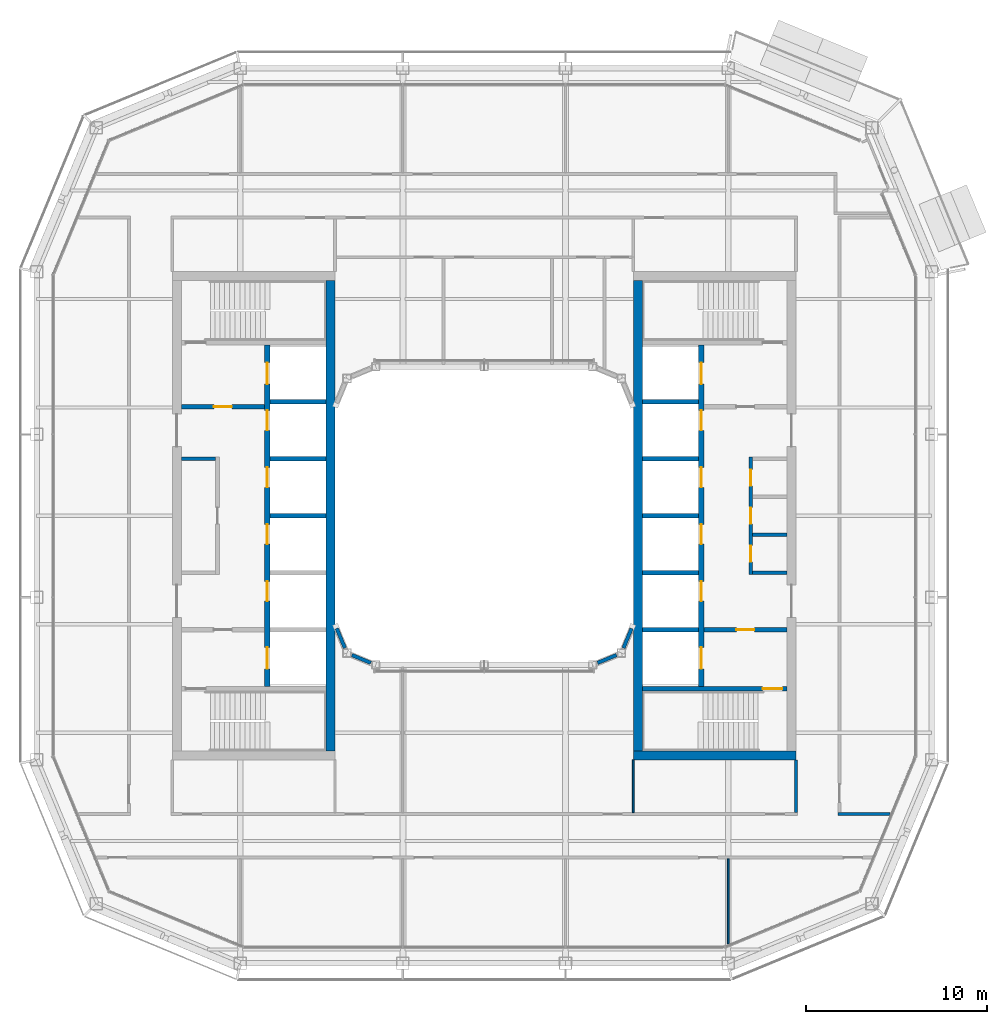
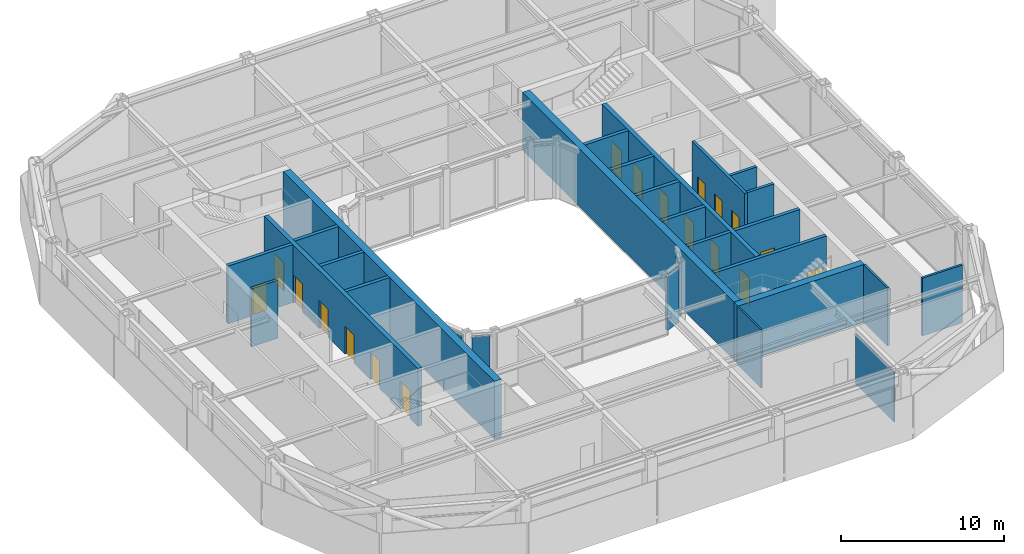
# One storey, part 12 of 21: 28 walls, 18 doors, 18 openings.
"""IFC4 building model written with IfcOpenShell, lengths in metres."""

import ifcopenshell
import ifcopenshell.guid

model = None  # the IFC model being written
_history = None  # IfcOwnerHistory: only IFC2X3 demands one
_inside = {}  # id of a spatial element -> (the spatial element, [elements in it])
_under = {}  # id of a project, library or spatial element -> (it, [spatial elements below it])
_declared = {}  # id of a project -> (the project, [libraries it declares])
_typed = {}  # id of a type object -> (the type object, [elements of that type])
_made_of = {}  # id of a material, layer set ... -> (it, [elements and type objects made of it])


def new_model(schema):
    """Start an empty IFC model of exactly this schema.

    Asked for "IFC4X3", IfcOpenShell would pick the latest addendum, in which some entities
    have other attributes; the version numbers below select the first issue.
    IFC2X3 requires an IfcOwnerHistory on every rooted entity: one is made here for all.
    """
    global model, _history
    if schema == "IFC4X3":
        model = ifcopenshell.file(schema_version=(4, 3, 0, 0))
    else:
        model = ifcopenshell.file(schema=schema)
    _inside.clear()
    _under.clear()
    _declared.clear()
    _typed.clear()
    _made_of.clear()
    _history = None
    if model.schema == "IFC2X3":
        org = make("IfcOrganization", Name="unknown")
        user = make(
            "IfcPersonAndOrganization",
            ThePerson=make("IfcPerson", FamilyName="unknown"),
            TheOrganization=org,
        )
        app = make(
            "IfcApplication",
            ApplicationDeveloper=org,
            Version="unknown",
            ApplicationFullName="unknown",
            ApplicationIdentifier="unknown",
        )
        _history = make(
            "IfcOwnerHistory",
            OwningUser=user,
            OwningApplication=app,
            ChangeAction="ADDED",
            CreationDate=0,
        )
    return model


def make(cls, **values):
    """One entity of the class cls with the attributes given. An attribute that is None is left unset."""
    return model.create_entity(
        cls, **{name: value for name, value in values.items() if value is not None}
    )


def rooted(cls, **values):
    """An entity with a GlobalId (a new one), such as an element, a storey or a relation."""
    return make(cls, GlobalId=ifcopenshell.guid.new(), OwnerHistory=_history, **values)


def si_unit(unit_type, name, prefix=None):
    """IfcSIUnit, for example si_unit("LENGTHUNIT", "METRE", prefix="MILLI")."""
    return make("IfcSIUnit", UnitType=unit_type, Prefix=prefix, Name=name)


def assignment(units):
    """IfcUnitAssignment: the units of a project."""
    return None if units is None else make("IfcUnitAssignment", Units=units)


def point(xyz):
    """IfcCartesianPoint."""
    return None if xyz is None else make("IfcCartesianPoint", Coordinates=xyz)


def direction(xyz):
    """IfcDirection."""
    return None if xyz is None else make("IfcDirection", DirectionRatios=xyz)


def frame(location, z_axis=None, x_axis=None):
    """IfcAxis2Placement3D, a coordinate frame: its origin and axes. An axis left out is left unset."""
    return make(
        "IfcAxis2Placement3D",
        Location=point(location),
        Axis=direction(z_axis),
        RefDirection=direction(x_axis),
    )


def frame_2d(location, x_axis=None):
    """IfcAxis2Placement2D, a coordinate frame in the plane: its origin and x axis."""
    return make(
        "IfcAxis2Placement2D", Location=point(location), RefDirection=direction(x_axis)
    )


def origin():
    """The frame at (0, 0, 0) with its axes left unset."""
    return frame((0.0, 0.0, 0.0))


def place(relative_to, where):
    """IfcLocalPlacement: puts the frame where relative to a parent placement (None: the world)."""
    return make(
        "IfcLocalPlacement", PlacementRelTo=relative_to, RelativePlacement=where
    )


def context(
    kind, dimensions, precision=None, world=None, true_north=None, identifier=None
):
    """IfcGeometricRepresentationContext, for example the 3D "Model" context."""
    return make(
        "IfcGeometricRepresentationContext",
        ContextIdentifier=identifier,
        ContextType=kind,
        CoordinateSpaceDimension=dimensions,
        Precision=precision,
        WorldCoordinateSystem=world,
        TrueNorth=true_north,
    )


def subcontext(parent, identifier, kind, view, scale=None):
    """IfcGeometricRepresentationSubContext, for example "Body" below "Model"."""
    return make(
        "IfcGeometricRepresentationSubContext",
        ContextIdentifier=identifier,
        ContextType=kind,
        ParentContext=parent,
        TargetScale=scale,
        TargetView=view,
    )


def project(units=None, contexts=None):
    """IfcProject with its units and contexts."""
    return rooted(
        "IfcProject",
        Name="project",
        RepresentationContexts=contexts,
        UnitsInContext=assignment(units),
    )


def spatial(cls, under=None, at=None, **own):
    """A site, building, storey or space (cls), placed at a placement, below another one or the project."""
    s = rooted(cls, ObjectPlacement=at, **own)
    if under is not None:
        _under.setdefault(under.id(), (under, []))[1].append(s)
    return s


def profile(cls, at=None, kind="AREA", **sizes):
    """A parametric profile (cls). Its sizes go by their IFC names, for example OverallWidth=200.0."""
    return make(cls, ProfileType=kind, Position=at, **sizes)


def rectangle(**sizes):
    """IfcRectangleProfileDef."""
    return profile("IfcRectangleProfileDef", **sizes)


def extrude(swept, where, along, depth):
    """IfcExtrudedAreaSolid: the profile swept, set in the frame where, extruded along a direction by depth."""
    return make(
        "IfcExtrudedAreaSolid",
        SweptArea=swept,
        Position=where,
        ExtrudedDirection=direction(along),
        Depth=depth,
    )


def shape(context_of_items, identifier, shape_type, items):
    """IfcShapeRepresentation: the items that make up one representation, for example the "Body"."""
    return make(
        "IfcShapeRepresentation",
        ContextOfItems=context_of_items,
        RepresentationIdentifier=identifier,
        RepresentationType=shape_type,
        Items=items,
    )


def material(Name=None, Category=None):
    """IfcMaterial."""
    return make("IfcMaterial", Name=Name, Category=Category)


def layer(
    of_material, thickness, ventilated=None, Name=None, Category=None, Priority=None
):
    """IfcMaterialLayer: one layer of a wall or slab, of a material (None: an air gap)."""
    return make(
        "IfcMaterialLayer",
        Material=of_material,
        LayerThickness=thickness,
        IsVentilated=ventilated,
        Name=Name,
        Category=Category,
        Priority=Priority,
    )


def layer_set(layers, Name=None):
    """IfcMaterialLayerSet."""
    return make("IfcMaterialLayerSet", MaterialLayers=layers, LayerSetName=Name)


def made_of(thing, what):
    """Note that an element or type object is made of a material, layer set ...; save() writes the relation."""
    if what is not None:
        _made_of.setdefault(what.id(), (what, []))[1].append(thing)
    return thing


def type_object(cls, material=None, **own):
    """A type object (cls), such as IfcWallType, which elements share."""
    return made_of(rooted(cls, **own), material)


def element(
    cls,
    number,
    at=None,
    inside=None,
    cuts=None,
    type_object=None,
    material=None,
    context=None,
    identifier="Body",
    shape_type=None,
    held_by="IfcProductDefinitionShape",
    body=None,
    shapes=None,
    **own,
):
    """One element of the class cls, such as IfcWall. Its Tag is "e" and its number.

    at: its placement. inside: the storey or other place that contains it. cuts: it is an
    opening in that element (IfcRelVoidsElement). A single representation is given by context,
    identifier, shape_type and body (its items); several are given by shapes. held_by: the class
    of the entity that holds the representations. save() writes the other relations.
    """
    e = rooted(cls, Tag="e%d" % number, ObjectPlacement=at, **own)
    if body is not None:
        shapes = [shape(context, identifier, shape_type, body)]
    if shapes is not None:
        e.Representation = make(held_by, Representations=shapes)
    if inside is not None:
        _inside.setdefault(inside.id(), (inside, []))[1].append(e)
    if cuts is not None:
        rooted(
            "IfcRelVoidsElement", RelatingBuildingElement=cuts, RelatedOpeningElement=e
        )
    if type_object is not None:
        _typed.setdefault(type_object.id(), (type_object, []))[1].append(e)
    return made_of(e, material)


def fill(opening, filler):
    """IfcRelFillsElement: the door or window that sits in an opening."""
    return rooted(
        "IfcRelFillsElement",
        RelatingOpeningElement=opening,
        RelatedBuildingElement=filler,
    )


def aggregate(whole, parts):
    """IfcRelAggregates: a whole, such as a stair, and the parts it consists of."""
    return rooted("IfcRelAggregates", RelatingObject=whole, RelatedObjects=parts)


def save(model, path):
    """Write the relations noted so far, then the file.

    IfcRelAggregates (storeys below a building ...), IfcRelContainedInSpatialStructure (elements
    in a storey), IfcRelDefinesByType, IfcRelAssociatesMaterial and IfcRelDeclares: one each for
    every whole, place, type object, material and project.
    """
    for whole, parts in _under.values():
        aggregate(whole, parts)
    for where, things in _inside.values():
        rooted(
            "IfcRelContainedInSpatialStructure",
            RelatedElements=things,
            RelatingStructure=where,
        )
    for kind, things in _typed.values():
        rooted("IfcRelDefinesByType", RelatedObjects=things, RelatingType=kind)
    for what, things in _made_of.values():
        rooted("IfcRelAssociatesMaterial", RelatedObjects=things, RelatingMaterial=what)
    for by, libraries in _declared.values():
        rooted("IfcRelDeclares", RelatingContext=by, RelatedDefinitions=libraries)
    model.write(path)


model = new_model("IFC4")

# Units and contexts
model_context = context("Model", 3, precision=1e-05, world=origin(), true_north=direction((0.0, 1.0)))
body_context = subcontext(model_context, "Body", "Model", "MODEL_VIEW")
ifc_project = project(units=[si_unit("LENGTHUNIT", "METRE"), si_unit("AREAUNIT", "SQUARE_METRE"), si_unit("VOLUMEUNIT", "CUBIC_METRE"), si_unit("PLANEANGLEUNIT", "RADIAN"), si_unit("MASSUNIT", "GRAM", prefix="KILO")], contexts=[model_context])

# Site, building, storey
site_placement = place(None, origin())
site = spatial("IfcSite", under=ifc_project, at=site_placement, CompositionType="ELEMENT")
building_placement = place(site_placement, origin())
building = spatial("IfcBuilding", under=site, at=building_placement, Name="Siwar Civic Tower", CompositionType="ELEMENT")
storey_placement = place(building_placement, frame((0.0, 0.0, 325.699951171875)))
storey = spatial("IfcBuildingStorey", under=building, at=storey_placement, Name="L70", CompositionType="ELEMENT", Elevation=325.699951171875)

# Wall
ifc_material_1 = material(Name="Gypsum board on steel studs", Category="steel")
ifc_layer_1 = layer(ifc_material_1, 0.199951171875)
ifc_layer_set_1 = layer_set([ifc_layer_1], Name="Gypsum board on steel studs")
wall_type_1 = type_object("IfcWallType", Name="CORE-PARTITION-200", PredefinedType="PARTITIONING", material=ifc_layer_set_1)
wall_1_placement = place(storey_placement, frame((-14.85009765625, 3.14990234375, 0.0), z_axis=(0.0, 0.0, 1.0), x_axis=(-1.0, 0.0, 0.0)))
element("IfcWall", 1, at=wall_1_placement, inside=storey, type_object=wall_type_1, Name="Core partition W", PredefinedType="PARTITIONING", context=body_context, shape_type="SweptSolid", body=[
    extrude(rectangle(XDim=1.89990234375, YDim=0.199951171875, at=frame_2d((0.949951171875, 0.0))), origin(), (0.0, 0.0, 1.0), 4.35009765625),
])

# Wall, openings, doors
wall_2_placement = place(storey_placement, frame((14.75, -3.25, 0.0), z_axis=(0.0, 0.0, 1.0), x_axis=(0.0, 1.0, 0.0)))
wall_2 = element("IfcWall", 2, at=wall_2_placement, inside=storey, type_object=wall_type_1, Name="Core partition E", PredefinedType="PARTITIONING", context=body_context, shape_type="SweptSolid", body=[
    extrude(rectangle(XDim=6.5, YDim=0.199951171875, at=frame_2d((3.25, 0.0))), origin(), (0.0, 0.0, 1.0), 4.35009765625),
])
opening_1_placement = place(wall_2_placement, frame((0.699951171875, 0.0, 0.0)))
opening_1 = element("IfcOpeningElement", 3, at=opening_1_placement, cuts=wall_2, Name="Opening L70-CE13", PredefinedType="OPENING", context=body_context, shape_type="SweptSolid", body=[
    extrude(rectangle(XDim=0.89990234375, YDim=2.10009765625, at=frame_2d((0.449951171875, 1.050048828125))), frame((0.0, 0.10986328125, 0.0), z_axis=(0.0, -1.0, 0.0), x_axis=(1.0, 0.0, 0.0)), (0.0, 0.0, 1.0), 0.219970703125),
])
opening_2_placement = place(wall_2_placement, frame((2.800048828125, 0.0, 0.0)))
opening_2 = element("IfcOpeningElement", 4, at=opening_2_placement, cuts=wall_2, Name="Opening L70-CE14", PredefinedType="OPENING", context=body_context, shape_type="SweptSolid", body=[
    extrude(rectangle(XDim=0.89990234375, YDim=2.10009765625, at=frame_2d((0.449951171875, 1.050048828125))), frame((0.0, 0.10986328125, 0.0), z_axis=(0.0, -1.0, 0.0), x_axis=(1.0, 0.0, 0.0)), (0.0, 0.0, 1.0), 0.219970703125),
])
opening_3_placement = place(wall_2_placement, frame((4.89990234375, 0.0, 0.0)))
opening_3 = element("IfcOpeningElement", 5, at=opening_3_placement, cuts=wall_2, Name="Opening L70-CE15", PredefinedType="OPENING", context=body_context, shape_type="SweptSolid", body=[
    extrude(rectangle(XDim=0.89990234375, YDim=2.10009765625, at=frame_2d((0.449951171875, 1.050048828125))), frame((0.0, 0.10986328125, 0.0), z_axis=(0.0, -1.0, 0.0), x_axis=(1.0, 0.0, 0.0)), (0.0, 0.0, 1.0), 0.219970703125),
])
ifc_material_2 = material(Name="Steel door leaf", Category="steel")
door_type_1 = type_object("IfcDoorType", Name="CORE-DOOR-ROOM", OperationType="SINGLE_SWING_LEFT", PredefinedType="DOOR", material=ifc_material_2)
door_1_placement = place(opening_1_placement, origin())
door_1 = element("IfcDoor", 6, at=door_1_placement, inside=storey, type_object=door_type_1, Name="Core room door L70-CE13", OperationType="SINGLE_SWING_LEFT", OverallHeight=2.10009765625, OverallWidth=0.89990234375, PredefinedType="DOOR", context=body_context, shape_type="SweptSolid", body=[
    extrude(rectangle(XDim=0.89990234375, YDim=2.10009765625, at=frame_2d((0.449951171875, 1.050048828125))), frame((0.0, 0.02490234375, 0.0), z_axis=(0.0, -1.0, 0.0), x_axis=(1.0, 0.0, 0.0)), (0.0, 0.0, 1.0), 0.050048828125),
])
fill(opening_1, door_1)
door_2_placement = place(opening_2_placement, origin())
door_2 = element("IfcDoor", 7, at=door_2_placement, inside=storey, type_object=door_type_1, Name="Core room door L70-CE14", OperationType="SINGLE_SWING_LEFT", OverallHeight=2.10009765625, OverallWidth=0.89990234375, PredefinedType="DOOR", context=body_context, shape_type="SweptSolid", body=[
    extrude(rectangle(XDim=0.89990234375, YDim=2.10009765625, at=frame_2d((0.449951171875, 1.050048828125))), frame((0.0, 0.02490234375, 0.0), z_axis=(0.0, -1.0, 0.0), x_axis=(1.0, 0.0, 0.0)), (0.0, 0.0, 1.0), 0.050048828125),
])
fill(opening_2, door_2)
door_3_placement = place(opening_3_placement, origin())
door_3 = element("IfcDoor", 8, at=door_3_placement, inside=storey, type_object=door_type_1, Name="Core room door L70-CE15", OperationType="SINGLE_SWING_LEFT", OverallHeight=2.10009765625, OverallWidth=0.89990234375, PredefinedType="DOOR", context=body_context, shape_type="SweptSolid", body=[
    extrude(rectangle(XDim=0.89990234375, YDim=2.10009765625, at=frame_2d((0.449951171875, 1.050048828125))), frame((0.0, 0.02490234375, 0.0), z_axis=(0.0, -1.0, 0.0), x_axis=(1.0, 0.0, 0.0)), (0.0, 0.0, 1.0), 0.050048828125),
])
fill(opening_3, door_3)

# Walls
for number, where, z_axis, x_axis, name in (
    (9, (14.85009765625, -3.14990234375, 0.0), (0.0, 0.0, 1.0), (1.0, 0.0, 0.0), "Core partition E"),
    (10, (14.85009765625, -1.050048828125, 0.0), (0.0, 0.0, 1.0), (1.0, 0.0, 0.0), "Core partition E"),
):
    element("IfcWall", number, at=place(storey_placement, frame(where, z_axis=z_axis, x_axis=x_axis)), inside=storey, type_object=wall_type_1, Name=name, PredefinedType="PARTITIONING", context=body_context, shape_type="SweptSolid", body=[
        extrude(rectangle(XDim=1.89990234375, YDim=0.199951171875, at=frame_2d((0.949951171875, 0.0))), origin(), (0.0, 0.0, 1.0), 4.35009765625),
    ])

# Wall, opening, door
ifc_material_3 = material(Name="Concrete C60/75", Category="concrete")
ifc_layer_2 = layer(ifc_material_3, 0.25)
ifc_layer_set_2 = layer_set([ifc_layer_2], Name="Concrete C60/75")
wall_type_2 = type_object("IfcWallType", Name="CORE-WALL-RC250", PredefinedType="SHEAR", material=ifc_layer_set_2)
wall_3_placement = place(storey_placement, frame((-12.14990234375, 6.02490234375, 0.0), z_axis=(0.0, 0.0, 1.0), x_axis=(-1.0, 0.0, 0.0)))
wall_3 = element("IfcWall", 11, at=wall_3_placement, inside=storey, type_object=wall_type_2, Name="Core wall W", PredefinedType="SHEAR", context=body_context, shape_type="SweptSolid", body=[
    extrude(rectangle(XDim=4.60009765625, YDim=0.25, at=frame_2d((2.300048828125, 0.0))), origin(), (0.0, 0.0, 1.0), 4.35009765625),
])
opening_4_placement = place(wall_3_placement, frame((1.800048828125, 0.0, 0.0)))
opening_4 = element("IfcOpeningElement", 12, at=opening_4_placement, cuts=wall_3, Name="Opening L70-CW01", PredefinedType="OPENING", context=body_context, shape_type="SweptSolid", body=[
    extrude(rectangle(XDim=1.0, YDim=2.10009765625, at=frame_2d((0.5, 1.050048828125))), frame((0.0, 0.135009765625, 0.0), z_axis=(0.0, -1.0, 0.0), x_axis=(1.0, 0.0, 0.0)), (0.0, 0.0, 1.0), 0.27001953125),
])
ifc_material_4 = material(Name="Steel door leaf", Category="steel")
door_type_2 = type_object("IfcDoorType", Name="CORE-DOOR-FD30S", OperationType="SINGLE_SWING_LEFT", PredefinedType="DOOR", material=ifc_material_4)
door_4_placement = place(opening_4_placement, origin())
door_4 = element("IfcDoor", 13, at=door_4_placement, inside=storey, type_object=door_type_2, Name="Firefighting lobby door L70-CW01", OperationType="SINGLE_SWING_LEFT", OverallHeight=2.10009765625, OverallWidth=1.0, PredefinedType="DOOR", context=body_context, shape_type="SweptSolid", body=[
    extrude(rectangle(XDim=1.0, YDim=2.10009765625, at=frame_2d((0.5, 1.050048828125))), frame((0.0, 0.02490234375, 0.0), z_axis=(0.0, -1.0, 0.0), x_axis=(1.0, 0.0, 0.0)), (0.0, 0.0, 1.0), 0.050048828125),
])
fill(opening_4, door_4)

# Walls
for number, where, z_axis, x_axis, name in (
    (14, (-8.75, 0.0, 0.0), (0.0, 0.0, 1.0), (-1.0, 0.0, 0.0), "Core wall W"),
    (15, (-8.75, 3.14990234375, 0.0), (0.0, 0.0, 1.0), (-1.0, 0.0, 0.0), "Core wall W"),
    (16, (-8.75, 6.300048828125, 0.0), (0.0, 0.0, 1.0), (-1.0, 0.0, 0.0), "Core wall W"),
):
    element("IfcWall", number, at=place(storey_placement, frame(where, z_axis=z_axis, x_axis=x_axis)), inside=storey, type_object=wall_type_2, Name=name, PredefinedType="SHEAR", context=body_context, shape_type="SweptSolid", body=[
        extrude(rectangle(XDim=3.10009765625, YDim=0.25, at=frame_2d((1.550048828125, 0.0))), origin(), (0.0, 0.0, 1.0), 4.35009765625),
    ])

# Wall, opening, door
wall_4_placement = place(storey_placement, frame((12.14990234375, -6.300048828125, 0.0), z_axis=(0.0, 0.0, 1.0), x_axis=(1.0, 0.0, 0.0)))
wall_4 = element("IfcWall", 17, at=wall_4_placement, inside=storey, type_object=wall_type_2, Name="Core wall E", PredefinedType="SHEAR", context=body_context, shape_type="SweptSolid", body=[
    extrude(rectangle(XDim=4.60009765625, YDim=0.25, at=frame_2d((2.300048828125, 0.0))), origin(), (0.0, 0.0, 1.0), 4.35009765625),
])
opening_5_placement = place(wall_4_placement, frame((1.800048828125, 0.0, 0.0)))
opening_5 = element("IfcOpeningElement", 18, at=opening_5_placement, cuts=wall_4, Name="Opening L70-CE02", PredefinedType="OPENING", context=body_context, shape_type="SweptSolid", body=[
    extrude(rectangle(XDim=1.0, YDim=2.10009765625, at=frame_2d((0.5, 1.050048828125))), frame((0.0, 0.135009765625, 0.0), z_axis=(0.0, -1.0, 0.0), x_axis=(1.0, 0.0, 0.0)), (0.0, 0.0, 1.0), 0.27001953125),
])
door_5_placement = place(opening_5_placement, origin())
door_5 = element("IfcDoor", 19, at=door_5_placement, inside=storey, type_object=door_type_2, Name="Service lobby door L70-CE02", OperationType="SINGLE_SWING_LEFT", OverallHeight=2.10009765625, OverallWidth=1.0, PredefinedType="DOOR", context=body_context, shape_type="SweptSolid", body=[
    extrude(rectangle(XDim=1.0, YDim=2.10009765625, at=frame_2d((0.5, 1.050048828125))), frame((0.0, 0.02490234375, 0.0), z_axis=(0.0, -1.0, 0.0), x_axis=(1.0, 0.0, 0.0)), (0.0, 0.0, 1.0), 0.050048828125),
])
fill(opening_5, door_5)

# Walls
for number, where, z_axis, x_axis, name in (
    (20, (8.75, 0.0, 0.0), (0.0, 0.0, 1.0), (1.0, 0.0, 0.0), "Core wall E"),
    (21, (8.75, 3.14990234375, 0.0), (0.0, 0.0, 1.0), (1.0, 0.0, 0.0), "Core wall E"),
    (22, (8.75, 6.300048828125, 0.0), (0.0, 0.0, 1.0), (1.0, 0.0, 0.0), "Core wall E"),
    (23, (8.75, -3.14990234375, 0.0), (0.0, 0.0, 1.0), (1.0, 0.0, 0.0), "Core wall E"),
    (24, (8.75, -6.300048828125, 0.0), (0.0, 0.0, 1.0), (1.0, 0.0, 0.0), "Core wall E"),
):
    element("IfcWall", number, at=place(storey_placement, frame(where, z_axis=z_axis, x_axis=x_axis)), inside=storey, type_object=wall_type_2, Name=name, PredefinedType="SHEAR", context=body_context, shape_type="SweptSolid", body=[
        extrude(rectangle(XDim=3.10009765625, YDim=0.25, at=frame_2d((1.550048828125, 0.0))), origin(), (0.0, 0.0, 1.0), 4.35009765625),
    ])

# Wall, opening, door
wall_5_placement = place(storey_placement, frame((8.75, -9.574951171875, 0.0), z_axis=(0.0, 0.0, 1.0), x_axis=(1.0, 0.0, 0.0)))
wall_5 = element("IfcWall", 25, at=wall_5_placement, inside=storey, type_object=wall_type_2, Name="Core wall E", PredefinedType="SHEAR", context=body_context, shape_type="SweptSolid", body=[
    extrude(rectangle(XDim=8.0, YDim=0.25, at=frame_2d((4.0, 0.0))), origin(), (0.0, 0.0, 1.0), 4.35009765625),
])
opening_6_placement = place(wall_5_placement, frame((6.64990234375, 0.0, 0.0)))
opening_6 = element("IfcOpeningElement", 26, at=opening_6_placement, cuts=wall_5, Name="Opening L70-CE04", PredefinedType="OPENING", context=body_context, shape_type="SweptSolid", body=[
    extrude(rectangle(XDim=1.10009765625, YDim=2.10009765625, at=frame_2d((0.550048828125, 1.050048828125))), frame((0.0, 0.135009765625, 0.0), z_axis=(0.0, -1.0, 0.0), x_axis=(1.0, 0.0, 0.0)), (0.0, 0.0, 1.0), 0.27001953125),
])
ifc_material_5 = material(Name="Steel door leaf", Category="steel")
door_type_3 = type_object("IfcDoorType", Name="CORE-DOOR-FD60S", OperationType="SINGLE_SWING_LEFT", PredefinedType="DOOR", material=ifc_material_5)
door_6_placement = place(opening_6_placement, origin())
door_6 = element("IfcDoor", 27, at=door_6_placement, inside=storey, type_object=door_type_3, Name="Stair door L70-CE04", OperationType="SINGLE_SWING_RIGHT", OverallHeight=2.10009765625, OverallWidth=1.10009765625, PredefinedType="DOOR", context=body_context, shape_type="SweptSolid", body=[
    extrude(rectangle(XDim=1.10009765625, YDim=2.10009765625, at=frame_2d((0.550048828125, 1.050048828125))), frame((0.0, 0.02490234375, 0.0), z_axis=(0.0, -1.0, 0.0), x_axis=(1.0, 0.0, 0.0)), (0.0, 0.0, 1.0), 0.050048828125),
])
fill(opening_6, door_6)

# Wall, openings, doors
ifc_material_6 = material(Name="Concrete C60/75", Category="concrete")
ifc_layer_3 = layer(ifc_material_6, 0.300048828125)
ifc_layer_set_3 = layer_set([ifc_layer_3], Name="Concrete C60/75")
wall_type_3 = type_object("IfcWallType", Name="CORE-WALL-RC300", PredefinedType="SHEAR", material=ifc_layer_set_3)
wall_6_placement = place(storey_placement, frame((-12.0, -9.449951171875, 0.0), z_axis=(0.0, 0.0, 1.0), x_axis=(0.0, 1.0, 0.0)))
wall_6 = element("IfcWall", 28, at=wall_6_placement, inside=storey, type_object=wall_type_3, Name="Core wall W", PredefinedType="SHEAR", context=body_context, shape_type="SweptSolid", body=[
    extrude(rectangle(XDim=18.89990234375, YDim=0.300048828125, at=frame_2d((9.449951171875, 0.0))), origin(), (0.0, 0.0, 1.0), 4.35009765625),
])
opening_7_placement = place(wall_6_placement, frame((4.72509765625, 0.0, 0.0)))
opening_7 = element("IfcOpeningElement", 29, at=opening_7_placement, cuts=wall_6, Name="Opening L70-CW07", PredefinedType="OPENING", context=body_context, shape_type="SweptSolid", body=[
    extrude(rectangle(XDim=1.10009765625, YDim=2.10009765625, at=frame_2d((0.550048828125, 1.050048828125))), frame((0.0, 0.16015625, 0.0), z_axis=(0.0, -1.0, 0.0), x_axis=(1.0, 0.0, 0.0)), (0.0, 0.0, 1.0), 0.320068359375),
])
opening_8_placement = place(wall_6_placement, frame((7.875, 0.0, 0.0)))
opening_8 = element("IfcOpeningElement", 30, at=opening_8_placement, cuts=wall_6, Name="Opening L70-CW08", PredefinedType="OPENING", context=body_context, shape_type="SweptSolid", body=[
    extrude(rectangle(XDim=1.10009765625, YDim=2.10009765625, at=frame_2d((0.550048828125, 1.050048828125))), frame((0.0, 0.16015625, 0.0), z_axis=(0.0, -1.0, 0.0), x_axis=(1.0, 0.0, 0.0)), (0.0, 0.0, 1.0), 0.320068359375),
])
opening_9_placement = place(wall_6_placement, frame((11.02490234375, 0.0, 0.0)))
opening_9 = element("IfcOpeningElement", 31, at=opening_9_placement, cuts=wall_6, Name="Opening L70-CW09", PredefinedType="OPENING", context=body_context, shape_type="SweptSolid", body=[
    extrude(rectangle(XDim=1.10009765625, YDim=2.10009765625, at=frame_2d((0.550048828125, 1.050048828125))), frame((0.0, 0.16015625, 0.0), z_axis=(0.0, -1.0, 0.0), x_axis=(1.0, 0.0, 0.0)), (0.0, 0.0, 1.0), 0.320068359375),
])
opening_10_placement = place(wall_6_placement, frame((14.175048828125, 0.0, 0.0)))
opening_10 = element("IfcOpeningElement", 32, at=opening_10_placement, cuts=wall_6, Name="Opening L70-CW10", PredefinedType="OPENING", context=body_context, shape_type="SweptSolid", body=[
    extrude(rectangle(XDim=1.10009765625, YDim=2.10009765625, at=frame_2d((0.550048828125, 1.050048828125))), frame((0.0, 0.16015625, 0.0), z_axis=(0.0, -1.0, 0.0), x_axis=(1.0, 0.0, 0.0)), (0.0, 0.0, 1.0), 0.320068359375),
])
opening_11_placement = place(wall_6_placement, frame((16.72509765625, 0.0, 0.0)))
opening_11 = element("IfcOpeningElement", 33, at=opening_11_placement, cuts=wall_6, Name="Opening L70-CW11", PredefinedType="OPENING", context=body_context, shape_type="SweptSolid", body=[
    extrude(rectangle(XDim=1.199951171875, YDim=2.10009765625, at=frame_2d((0.60009765625, 1.050048828125))), frame((0.0, 0.16015625, 0.0), z_axis=(0.0, -1.0, 0.0), x_axis=(1.0, 0.0, 0.0)), (0.0, 0.0, 1.0), 0.320068359375),
])
opening_12_placement = place(wall_6_placement, frame((0.97509765625, 0.0, 0.0)))
opening_12 = element("IfcOpeningElement", 34, at=opening_12_placement, cuts=wall_6, Name="Opening L70-CW12", PredefinedType="OPENING", context=body_context, shape_type="SweptSolid", body=[
    extrude(rectangle(XDim=1.199951171875, YDim=2.10009765625, at=frame_2d((0.60009765625, 1.050048828125))), frame((0.0, 0.16015625, 0.0), z_axis=(0.0, -1.0, 0.0), x_axis=(1.0, 0.0, 0.0)), (0.0, 0.0, 1.0), 0.320068359375),
])
ifc_material_7 = material(Name="Steel door leaf", Category="steel")
door_type_4 = type_object("IfcDoorType", Name="CORE-DOOR-LD", OperationType="DOUBLE_DOOR_SLIDING", PredefinedType="DOOR", material=ifc_material_7)
door_7_placement = place(opening_7_placement, origin())
door_7 = element("IfcDoor", 35, at=door_7_placement, inside=storey, type_object=door_type_4, Name="Landing door HR1 L70-CW07", OperationType="DOUBLE_DOOR_SLIDING", OverallHeight=2.10009765625, OverallWidth=1.10009765625, PredefinedType="DOOR", context=body_context, shape_type="SweptSolid", body=[
    extrude(rectangle(XDim=1.10009765625, YDim=2.10009765625, at=frame_2d((0.550048828125, 1.050048828125))), frame((0.0, 0.02490234375, 0.0), z_axis=(0.0, -1.0, 0.0), x_axis=(1.0, 0.0, 0.0)), (0.0, 0.0, 1.0), 0.050048828125),
])
fill(opening_7, door_7)
door_8_placement = place(opening_8_placement, origin())
door_8 = element("IfcDoor", 36, at=door_8_placement, inside=storey, type_object=door_type_4, Name="Landing door HR2 L70-CW08", OperationType="DOUBLE_DOOR_SLIDING", OverallHeight=2.10009765625, OverallWidth=1.10009765625, PredefinedType="DOOR", context=body_context, shape_type="SweptSolid", body=[
    extrude(rectangle(XDim=1.10009765625, YDim=2.10009765625, at=frame_2d((0.550048828125, 1.050048828125))), frame((0.0, 0.02490234375, 0.0), z_axis=(0.0, -1.0, 0.0), x_axis=(1.0, 0.0, 0.0)), (0.0, 0.0, 1.0), 0.050048828125),
])
fill(opening_8, door_8)
door_9_placement = place(opening_9_placement, origin())
door_9 = element("IfcDoor", 37, at=door_9_placement, inside=storey, type_object=door_type_4, Name="Landing door HR3 L70-CW09", OperationType="DOUBLE_DOOR_SLIDING", OverallHeight=2.10009765625, OverallWidth=1.10009765625, PredefinedType="DOOR", context=body_context, shape_type="SweptSolid", body=[
    extrude(rectangle(XDim=1.10009765625, YDim=2.10009765625, at=frame_2d((0.550048828125, 1.050048828125))), frame((0.0, 0.02490234375, 0.0), z_axis=(0.0, -1.0, 0.0), x_axis=(1.0, 0.0, 0.0)), (0.0, 0.0, 1.0), 0.050048828125),
])
fill(opening_9, door_9)
door_10_placement = place(opening_10_placement, origin())
door_10 = element("IfcDoor", 38, at=door_10_placement, inside=storey, type_object=door_type_4, Name="Landing door HR4 L70-CW10", OperationType="DOUBLE_DOOR_SLIDING", OverallHeight=2.10009765625, OverallWidth=1.10009765625, PredefinedType="DOOR", context=body_context, shape_type="SweptSolid", body=[
    extrude(rectangle(XDim=1.10009765625, YDim=2.10009765625, at=frame_2d((0.550048828125, 1.050048828125))), frame((0.0, 0.02490234375, 0.0), z_axis=(0.0, -1.0, 0.0), x_axis=(1.0, 0.0, 0.0)), (0.0, 0.0, 1.0), 0.050048828125),
])
fill(opening_10, door_10)
ifc_material_8 = material(Name="Steel door leaf", Category="steel")
door_type_5 = type_object("IfcDoorType", Name="CORE-DOOR-LDW", OperationType="DOUBLE_DOOR_SLIDING", PredefinedType="DOOR", material=ifc_material_8)
door_11_placement = place(opening_11_placement, origin())
door_11 = element("IfcDoor", 39, at=door_11_placement, inside=storey, type_object=door_type_5, Name="Landing door FF1 L70-CW11", OperationType="DOUBLE_DOOR_SLIDING", OverallHeight=2.10009765625, OverallWidth=1.199951171875, PredefinedType="DOOR", context=body_context, shape_type="SweptSolid", body=[
    extrude(rectangle(XDim=1.199951171875, YDim=2.10009765625, at=frame_2d((0.60009765625, 1.050048828125))), frame((0.0, 0.02490234375, 0.0), z_axis=(0.0, -1.0, 0.0), x_axis=(1.0, 0.0, 0.0)), (0.0, 0.0, 1.0), 0.050048828125),
])
fill(opening_11, door_11)
door_12_placement = place(opening_12_placement, origin())
door_12 = element("IfcDoor", 40, at=door_12_placement, inside=storey, type_object=door_type_5, Name="Landing door SV1 L70-CW12", OperationType="DOUBLE_DOOR_SLIDING", OverallHeight=2.10009765625, OverallWidth=1.199951171875, PredefinedType="DOOR", context=body_context, shape_type="SweptSolid", body=[
    extrude(rectangle(XDim=1.199951171875, YDim=2.10009765625, at=frame_2d((0.60009765625, 1.050048828125))), frame((0.0, 0.02490234375, 0.0), z_axis=(0.0, -1.0, 0.0), x_axis=(1.0, 0.0, 0.0)), (0.0, 0.0, 1.0), 0.050048828125),
])
fill(opening_12, door_12)

wall_7_placement = place(storey_placement, frame((12.0, -9.449951171875, 0.0), z_axis=(0.0, 0.0, 1.0), x_axis=(0.0, 1.0, 0.0)))
wall_7 = element("IfcWall", 41, at=wall_7_placement, inside=storey, type_object=wall_type_3, Name="Core wall E", PredefinedType="SHEAR", context=body_context, shape_type="SweptSolid", body=[
    extrude(rectangle(XDim=18.89990234375, YDim=0.300048828125, at=frame_2d((9.449951171875, 0.0))), origin(), (0.0, 0.0, 1.0), 4.35009765625),
])
opening_13_placement = place(wall_7_placement, frame((4.72509765625, 0.0, 0.0)))
opening_13 = element("IfcOpeningElement", 42, at=opening_13_placement, cuts=wall_7, Name="Opening L70-CE07", PredefinedType="OPENING", context=body_context, shape_type="SweptSolid", body=[
    extrude(rectangle(XDim=1.10009765625, YDim=2.10009765625, at=frame_2d((0.550048828125, 1.050048828125))), frame((0.0, 0.16015625, 0.0), z_axis=(0.0, -1.0, 0.0), x_axis=(1.0, 0.0, 0.0)), (0.0, 0.0, 1.0), 0.320068359375),
])
opening_14_placement = place(wall_7_placement, frame((7.875, 0.0, 0.0)))
opening_14 = element("IfcOpeningElement", 43, at=opening_14_placement, cuts=wall_7, Name="Opening L70-CE08", PredefinedType="OPENING", context=body_context, shape_type="SweptSolid", body=[
    extrude(rectangle(XDim=1.10009765625, YDim=2.10009765625, at=frame_2d((0.550048828125, 1.050048828125))), frame((0.0, 0.16015625, 0.0), z_axis=(0.0, -1.0, 0.0), x_axis=(1.0, 0.0, 0.0)), (0.0, 0.0, 1.0), 0.320068359375),
])
opening_15_placement = place(wall_7_placement, frame((11.02490234375, 0.0, 0.0)))
opening_15 = element("IfcOpeningElement", 44, at=opening_15_placement, cuts=wall_7, Name="Opening L70-CE09", PredefinedType="OPENING", context=body_context, shape_type="SweptSolid", body=[
    extrude(rectangle(XDim=1.10009765625, YDim=2.10009765625, at=frame_2d((0.550048828125, 1.050048828125))), frame((0.0, 0.16015625, 0.0), z_axis=(0.0, -1.0, 0.0), x_axis=(1.0, 0.0, 0.0)), (0.0, 0.0, 1.0), 0.320068359375),
])
opening_16_placement = place(wall_7_placement, frame((14.175048828125, 0.0, 0.0)))
opening_16 = element("IfcOpeningElement", 45, at=opening_16_placement, cuts=wall_7, Name="Opening L70-CE10", PredefinedType="OPENING", context=body_context, shape_type="SweptSolid", body=[
    extrude(rectangle(XDim=1.10009765625, YDim=2.10009765625, at=frame_2d((0.550048828125, 1.050048828125))), frame((0.0, 0.16015625, 0.0), z_axis=(0.0, -1.0, 0.0), x_axis=(1.0, 0.0, 0.0)), (0.0, 0.0, 1.0), 0.320068359375),
])
opening_17_placement = place(wall_7_placement, frame((16.72509765625, 0.0, 0.0)))
opening_17 = element("IfcOpeningElement", 46, at=opening_17_placement, cuts=wall_7, Name="Opening L70-CE11", PredefinedType="OPENING", context=body_context, shape_type="SweptSolid", body=[
    extrude(rectangle(XDim=1.199951171875, YDim=2.10009765625, at=frame_2d((0.60009765625, 1.050048828125))), frame((0.0, 0.16015625, 0.0), z_axis=(0.0, -1.0, 0.0), x_axis=(1.0, 0.0, 0.0)), (0.0, 0.0, 1.0), 0.320068359375),
])
opening_18_placement = place(wall_7_placement, frame((0.97509765625, 0.0, 0.0)))
opening_18 = element("IfcOpeningElement", 47, at=opening_18_placement, cuts=wall_7, Name="Opening L70-CE12", PredefinedType="OPENING", context=body_context, shape_type="SweptSolid", body=[
    extrude(rectangle(XDim=1.199951171875, YDim=2.10009765625, at=frame_2d((0.60009765625, 1.050048828125))), frame((0.0, 0.16015625, 0.0), z_axis=(0.0, -1.0, 0.0), x_axis=(1.0, 0.0, 0.0)), (0.0, 0.0, 1.0), 0.320068359375),
])
door_13_placement = place(opening_13_placement, origin())
door_13 = element("IfcDoor", 48, at=door_13_placement, inside=storey, type_object=door_type_4, Name="Landing door HR5 L70-CE07", OperationType="DOUBLE_DOOR_SLIDING", OverallHeight=2.10009765625, OverallWidth=1.10009765625, PredefinedType="DOOR", context=body_context, shape_type="SweptSolid", body=[
    extrude(rectangle(XDim=1.10009765625, YDim=2.10009765625, at=frame_2d((0.550048828125, 1.050048828125))), frame((0.0, 0.02490234375, 0.0), z_axis=(0.0, -1.0, 0.0), x_axis=(1.0, 0.0, 0.0)), (0.0, 0.0, 1.0), 0.050048828125),
])
fill(opening_13, door_13)
door_14_placement = place(opening_14_placement, origin())
door_14 = element("IfcDoor", 49, at=door_14_placement, inside=storey, type_object=door_type_4, Name="Landing door HR6 L70-CE08", OperationType="DOUBLE_DOOR_SLIDING", OverallHeight=2.10009765625, OverallWidth=1.10009765625, PredefinedType="DOOR", context=body_context, shape_type="SweptSolid", body=[
    extrude(rectangle(XDim=1.10009765625, YDim=2.10009765625, at=frame_2d((0.550048828125, 1.050048828125))), frame((0.0, 0.02490234375, 0.0), z_axis=(0.0, -1.0, 0.0), x_axis=(1.0, 0.0, 0.0)), (0.0, 0.0, 1.0), 0.050048828125),
])
fill(opening_14, door_14)
door_15_placement = place(opening_15_placement, origin())
door_15 = element("IfcDoor", 50, at=door_15_placement, inside=storey, type_object=door_type_4, Name="Landing door HR7 L70-CE09", OperationType="DOUBLE_DOOR_SLIDING", OverallHeight=2.10009765625, OverallWidth=1.10009765625, PredefinedType="DOOR", context=body_context, shape_type="SweptSolid", body=[
    extrude(rectangle(XDim=1.10009765625, YDim=2.10009765625, at=frame_2d((0.550048828125, 1.050048828125))), frame((0.0, 0.02490234375, 0.0), z_axis=(0.0, -1.0, 0.0), x_axis=(1.0, 0.0, 0.0)), (0.0, 0.0, 1.0), 0.050048828125),
])
fill(opening_15, door_15)
door_16_placement = place(opening_16_placement, origin())
door_16 = element("IfcDoor", 51, at=door_16_placement, inside=storey, type_object=door_type_4, Name="Landing door HR8 L70-CE10", OperationType="DOUBLE_DOOR_SLIDING", OverallHeight=2.10009765625, OverallWidth=1.10009765625, PredefinedType="DOOR", context=body_context, shape_type="SweptSolid", body=[
    extrude(rectangle(XDim=1.10009765625, YDim=2.10009765625, at=frame_2d((0.550048828125, 1.050048828125))), frame((0.0, 0.02490234375, 0.0), z_axis=(0.0, -1.0, 0.0), x_axis=(1.0, 0.0, 0.0)), (0.0, 0.0, 1.0), 0.050048828125),
])
fill(opening_16, door_16)
door_17_placement = place(opening_17_placement, origin())
door_17 = element("IfcDoor", 52, at=door_17_placement, inside=storey, type_object=door_type_5, Name="Landing door FF2 L70-CE11", OperationType="DOUBLE_DOOR_SLIDING", OverallHeight=2.10009765625, OverallWidth=1.199951171875, PredefinedType="DOOR", context=body_context, shape_type="SweptSolid", body=[
    extrude(rectangle(XDim=1.199951171875, YDim=2.10009765625, at=frame_2d((0.60009765625, 1.050048828125))), frame((0.0, 0.02490234375, 0.0), z_axis=(0.0, -1.0, 0.0), x_axis=(1.0, 0.0, 0.0)), (0.0, 0.0, 1.0), 0.050048828125),
])
fill(opening_17, door_17)
door_18_placement = place(opening_18_placement, origin())
door_18 = element("IfcDoor", 53, at=door_18_placement, inside=storey, type_object=door_type_5, Name="Landing door SV2 L70-CE12", OperationType="DOUBLE_DOOR_SLIDING", OverallHeight=2.10009765625, OverallWidth=1.199951171875, PredefinedType="DOOR", context=body_context, shape_type="SweptSolid", body=[
    extrude(rectangle(XDim=1.199951171875, YDim=2.10009765625, at=frame_2d((0.60009765625, 1.050048828125))), frame((0.0, 0.02490234375, 0.0), z_axis=(0.0, -1.0, 0.0), x_axis=(1.0, 0.0, 0.0)), (0.0, 0.0, 1.0), 0.050048828125),
])
fill(opening_18, door_18)

# Walls
ifc_material_9 = material(Name="Concrete C60/75", Category="concrete")
ifc_layer_4 = layer(ifc_material_9, 0.5)
ifc_layer_set_4 = layer_set([ifc_layer_4], Name="Concrete C60/75")
wall_type_4 = type_object("IfcWallType", Name="CORE-WALL-RC500", PredefinedType="SHEAR", material=ifc_layer_set_4)
wall_8_placement = place(storey_placement, frame((8.25, -13.25, 0.0), z_axis=(0.0, 0.0, 1.0), x_axis=(1.0, 0.0, 0.0)))
element("IfcWall", 54, at=wall_8_placement, inside=storey, type_object=wall_type_4, Name="Core wall E", PredefinedType="SHEAR", context=body_context, shape_type="SweptSolid", body=[
    extrude(rectangle(XDim=9.0, YDim=0.5, at=frame_2d((4.5, 0.0))), origin(), (0.0, 0.0, 1.0), 4.35009765625),
])
ifc_material_10 = material(Name="Concrete C60/75", Category="concrete")
ifc_layer_5 = layer(ifc_material_10, 0.5)
ifc_layer_set_5 = layer_set([ifc_layer_5], Name="Concrete C60/75")
wall_type_5 = type_object("IfcWallType", Name="CORE-WALL-RC500-EXT", PredefinedType="SHEAR", material=ifc_layer_set_5)
for number, where, z_axis, x_axis, name in (
    (55, (-8.5, -13.0, 0.0), (0.0, 0.0, 1.0), (0.0, 1.0, 0.0), "Core wall W"),
    (56, (8.5, -13.0, 0.0), (0.0, 0.0, 1.0), (0.0, 1.0, 0.0), "Core wall E"),
):
    element("IfcWall", number, at=place(storey_placement, frame(where, z_axis=z_axis, x_axis=x_axis)), inside=storey, type_object=wall_type_5, Name=name, PredefinedType="SHEAR", context=body_context, shape_type="SweptSolid", body=[
        extrude(rectangle(XDim=26.0, YDim=0.5, at=frame_2d((13.0, 0.0))), origin(), (0.0, 0.0, 1.0), 4.35009765625),
    ])
ifc_material_11 = material(Name="Gypsum board on steel studs", Category="steel")
ifc_layer_6 = layer(ifc_material_11, 0.14990234375)
ifc_layer_set_6 = layer_set([ifc_layer_6], Name="Gypsum board on steel studs")
wall_type_6 = type_object("IfcWallType", Name="CORRIDOR PARTITION 150 EI 30", PredefinedType="PARTITIONING", material=ifc_layer_set_6)
wall_9_placement = place(storey_placement, frame((19.5810546875, -16.5, 0.0), z_axis=(0.0, 0.0, 1.0), x_axis=(1.0, 0.0, 0.0)))
element("IfcWall", 57, at=wall_9_placement, inside=storey, type_object=wall_type_6, Name="L70/wall/P04", PredefinedType="PARTITIONING", context=body_context, shape_type="SweptSolid", body=[
    extrude(rectangle(XDim=2.85498046875, YDim=0.14990234375, at=frame_2d((1.427490234375, 0.0))), origin(), (0.0, 0.0, 1.0), 4.35009765625),
])
wall_10_placement = place(storey_placement, frame((17.25, -16.425048828125, 0.0), z_axis=(0.0, 0.0, 1.0), x_axis=(0.0, 1.0, 0.0)))
element("IfcWall", 58, at=wall_10_placement, inside=storey, type_object=wall_type_6, Name="L70/wall/P32", PredefinedType="PARTITIONING", context=body_context, shape_type="SweptSolid", body=[
    extrude(rectangle(XDim=2.925048828125, YDim=0.14990234375, at=frame_2d((1.46240234375, 0.0))), origin(), (0.0, 0.0, 1.0), 4.35009765625),
])
ifc_material_12 = material(Name="Aluminium clad insulated panel", Category="aluminium")
ifc_layer_7 = layer(ifc_material_12, 0.199951171875)
ifc_layer_set_7 = layer_set([ifc_layer_7], Name="Aluminium clad insulated panel")
wall_type_7 = type_object("IfcWallType", Name="ENV-WALL-WELL", PredefinedType="STANDARD", material=ifc_layer_set_7)
wall_11_placement = place(storey_placement, frame((6.271484375, -8.137451171875, 0.0), z_axis=(0.0, 0.0, 1.0), x_axis=(0.923864661962, 0.382719331074, 0.0)))
element("IfcWall", 59, at=wall_11_placement, inside=storey, type_object=wall_type_7, Name="Light well corner wall SE1", PredefinedType="STANDARD", context=body_context, shape_type="SweptSolid", body=[
    extrude(rectangle(XDim=1.13427734375, YDim=0.199951171875, at=frame_2d((0.567138671875, 0.0))), origin(), (0.0, 0.0, 1.0), 4.010009765625),
])
for number, where, z_axis, x_axis, name in (
    (60, (7.703369140625, -7.3193359375, 0.0), (0.0, 0.0, 1.0), (0.382760542083, 0.92384758885, 0.0), "Light well corner wall SE2"),
    (61, (-8.154296875, -6.23095703125, 0.0), (0.0, 0.0, 1.0), (0.382760542083, -0.92384758885, 0.0), "Light well corner wall SW1"),
):
    element("IfcWall", number, at=place(storey_placement, frame(where, z_axis=z_axis, x_axis=x_axis)), inside=storey, type_object=wall_type_7, Name=name, PredefinedType="STANDARD", context=body_context, shape_type="SweptSolid", body=[
        extrude(rectangle(XDim=1.177978515625, YDim=0.199951171875, at=frame_2d((0.5888671875, 0.0))), origin(), (0.0, 0.0, 1.0), 4.010009765625),
    ])
wall_12_placement = place(storey_placement, frame((-7.3193359375, -7.703369140625, 0.0), z_axis=(0.0, 0.0, 1.0), x_axis=(0.923864661962, -0.382719331074, 0.0)))
element("IfcWall", 62, at=wall_12_placement, inside=storey, type_object=wall_type_7, Name="Light well corner wall SW2", PredefinedType="STANDARD", context=body_context, shape_type="SweptSolid", body=[
    extrude(rectangle(XDim=1.13427734375, YDim=0.199951171875, at=frame_2d((0.567138671875, 0.0))), origin(), (0.0, 0.0, 1.0), 4.010009765625),
])
ifc_material_13 = material(Name="Gypsum board on steel studs", Category="steel")
ifc_layer_8 = layer(ifc_material_13, 0.10009765625)
ifc_layer_set_8 = layer_set([ifc_layer_8], Name="Gypsum board on steel studs")
wall_type_8 = type_object("IfcWallType", Name="PARTITION 100 GYPSUM", PredefinedType="PARTITIONING", material=ifc_layer_set_8)
wall_13_placement = place(storey_placement, frame((8.25, -16.425048828125, 0.0), z_axis=(0.0, 0.0, 1.0), x_axis=(0.0, 1.0, 0.0)))
element("IfcWall", 63, at=wall_13_placement, inside=storey, type_object=wall_type_8, Name="L70/wall/P27", PredefinedType="PARTITIONING", context=body_context, shape_type="SweptSolid", body=[
    extrude(rectangle(XDim=2.925048828125, YDim=0.10009765625, at=frame_2d((1.46240234375, 0.0))), origin(), (0.0, 0.0, 1.0), 4.35009765625),
])
wall_14_placement = place(storey_placement, frame((13.5, -23.677978515625, 0.0), z_axis=(0.0, 0.0, 1.0), x_axis=(0.0, 1.0, 0.0)))
element("IfcWall", 64, at=wall_14_placement, inside=storey, type_object=wall_type_8, Name="L70/wall/P30", PredefinedType="PARTITIONING", context=body_context, shape_type="SweptSolid", body=[
    extrude(rectangle(XDim=4.702880859375, YDim=0.10009765625, at=frame_2d((2.3515625, 0.0))), origin(), (0.0, 0.0, 1.0), 3.75),
])

save(model, "model.ifc")
